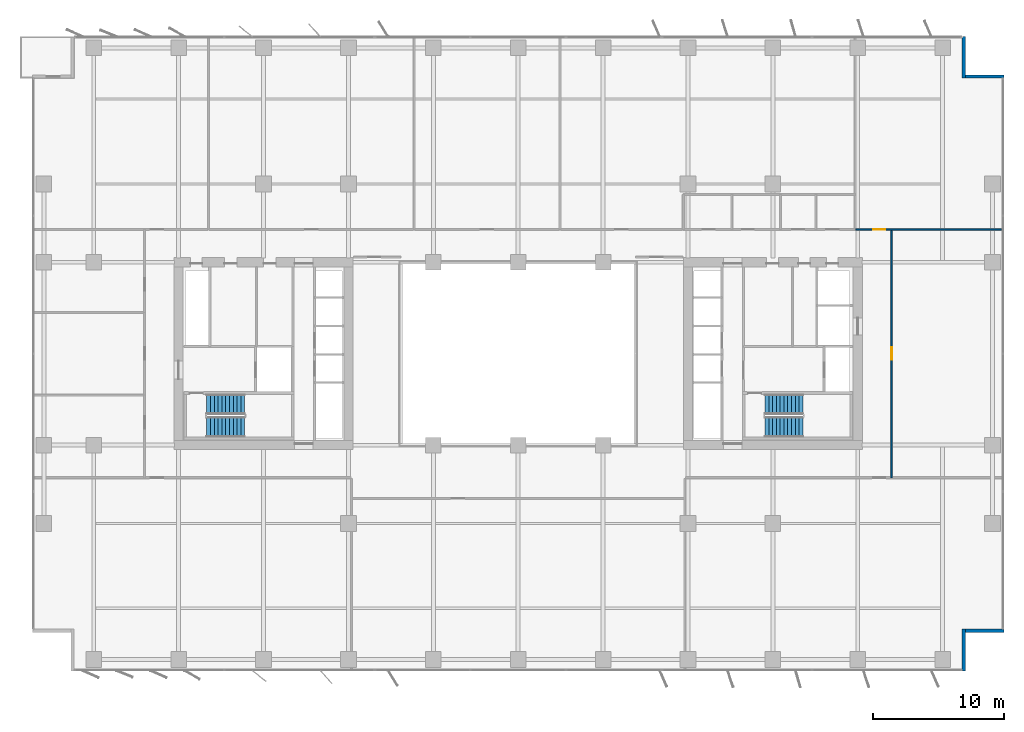
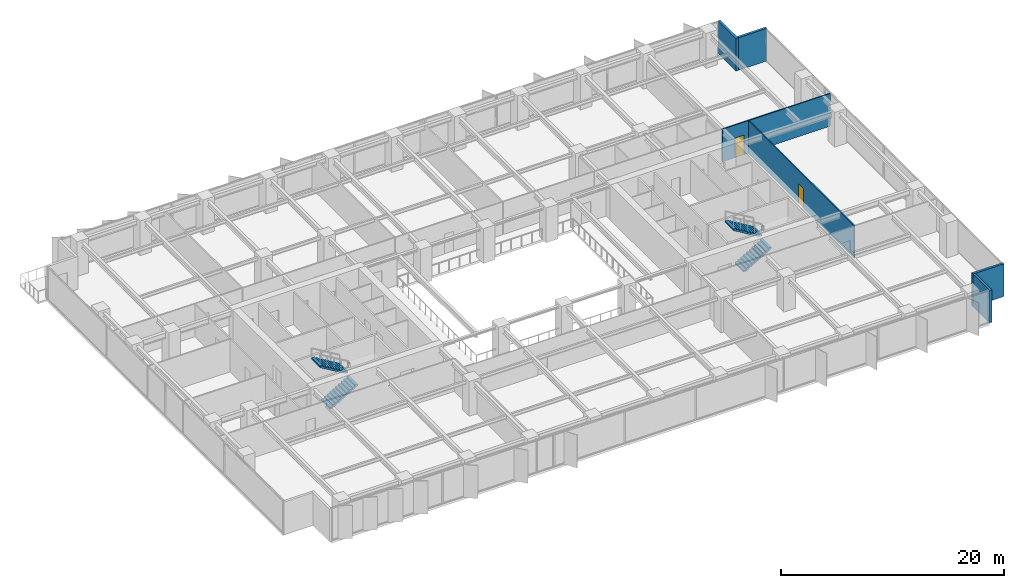
# One storey, part 16 of 20: 6 walls, 4 stair flights, 2 doors, 2 openings, 2 elements without a shape of their own.
"""IFC4 building model written with IfcOpenShell, lengths in metres."""

from ifc_helpers import new_model, si_unit, direction, frame, frame_2d, origin, place, context, subcontext, project, spatial, polyline, rectangle, outline, extrude, material, layer, layer_set, type_object, element, fill, aggregate, save


model = new_model("IFC4")

# Units and contexts
model_context = context("Model", 3, precision=1e-05, world=origin(), true_north=direction((0.0, 1.0)))
body_context = subcontext(model_context, "Body", "Model", "MODEL_VIEW")
ifc_project = project(units=[si_unit("LENGTHUNIT", "METRE"), si_unit("AREAUNIT", "SQUARE_METRE"), si_unit("VOLUMEUNIT", "CUBIC_METRE"), si_unit("PLANEANGLEUNIT", "RADIAN"), si_unit("MASSUNIT", "GRAM", prefix="KILO")], contexts=[model_context])

# Site, building, storey
site_placement = place(None, origin())
site = spatial("IfcSite", under=ifc_project, at=site_placement, CompositionType="ELEMENT")
building_placement = place(site_placement, origin())
building = spatial("IfcBuilding", under=site, at=building_placement, Name="Putna Gate Headquarters", CompositionType="ELEMENT")
storey_placement = place(building_placement, frame((0.0, 0.0, 89.800048828125)))
storey = spatial("IfcBuildingStorey", under=building, at=storey_placement, Name="L21", CompositionType="ELEMENT", Elevation=89.800048828125)

# Walls
ifc_material_1 = material(Name="Precast concrete C40/50", Category="concrete")
ifc_layer_1 = layer(ifc_material_1, 0.239990234375)
ifc_layer_set_1 = layer_set([ifc_layer_1], Name="Precast concrete C40/50")
wall_type_1 = type_object("IfcWallType", Name="WALL-EXT-TERR-240", PredefinedType="STANDARD", material=ifc_layer_set_1)
for number, where, z_axis, x_axis, name in (
    (1, (73.1201171875, 50.300048828125, 0.0), (0.0, 0.0, 1.0), (0.0, -1.0, 0.0), "L21 Corner Notch Return Wall NE-V"),
    (2, (73.0, 47.219970703125, 0.0), (0.0, 0.0, 1.0), (1.0, 0.0, 0.0), "L21 Corner Notch Return Wall NE-H"),
    (3, (73.1201171875, 4.89990234375, 0.0), (0.0, 0.0, 1.0), (0.0, -1.0, 0.0), "L21 Corner Notch Return Wall SE-V"),
    (4, (76.199951171875, 4.780029296875, 0.0), (0.0, 0.0, 1.0), (-1.0, 0.0, 0.0), "L21 Corner Notch Return Wall SE-H"),
):
    element("IfcWall", number, at=place(storey_placement, frame(where, z_axis=z_axis, x_axis=x_axis)), inside=storey, type_object=wall_type_1, Name=name, PredefinedType="STANDARD", context=body_context, shape_type="SweptSolid", body=[
        extrude(rectangle(XDim=3.199951171875, YDim=0.239990234375, at=frame_2d((1.60009765625, 0.0))), origin(), (0.0, 0.0, 1.0), 3.56494140625),
    ])

# Wall, opening, door
ifc_material_2 = material(Name="Fire-rated gypsum board on metal stud")
ifc_layer_2 = layer(ifc_material_2, 0.1201171875)
ifc_layer_set_2 = layer_set([ifc_layer_2], Name="Fire-rated gypsum board on metal stud")
wall_type_2 = type_object("IfcWallType", Name="WALL-PART-120-RATED", PredefinedType="PARTITIONING", material=ifc_layer_set_2)
wall_1_placement = place(storey_placement, frame((64.860107421875, 35.5, 0.0), z_axis=(0.0, 0.0, 1.0), x_axis=(1.0, 0.0, 0.0)))
wall_1 = element("IfcWall", 5, at=wall_1_placement, inside=storey, type_object=wall_type_2, Name="L21 Interior Wall PART-L21-NB-CW-05", PredefinedType="PARTITIONING", context=body_context, shape_type="SweptSolid", body=[
    extrude(rectangle(XDim=11.159912109375, YDim=0.1201171875, at=frame_2d((5.580078125, 0.0))), origin(), (0.0, 0.0, 1.0), 3.56494140625),
])
opening_1_placement = place(wall_1_placement, frame((1.31005859375, 0.0, 0.0)))
opening_1 = element("IfcOpeningElement", 6, at=opening_1_placement, cuts=wall_1, Name="Opening FD-95", PredefinedType="OPENING", context=body_context, shape_type="SweptSolid", body=[
    extrude(rectangle(XDim=0.949951171875, YDim=2.14990234375, at=frame_2d((0.47509765625, 1.074951171875))), frame((0.0, 0.070068359375, 0.0), z_axis=(0.0, -1.0, 0.0), x_axis=(1.0, 0.0, 0.0)), (0.0, 0.0, 1.0), 0.14013671875),
])
ifc_material_3 = material(Name="Acoustic timber fire door", Category="wood")
door_type = type_object("IfcDoorType", Name="DOOR-FIRE-950", OperationType="NOTDEFINED", PredefinedType="DOOR", material=ifc_material_3)
door_1_placement = place(opening_1_placement, origin())
door_1 = element("IfcDoor", 7, at=door_1_placement, inside=storey, type_object=door_type, Name="L21 Collaborative Breakout Lounge 1 Door", OperationType="SINGLE_SWING_LEFT", OverallHeight=2.14990234375, OverallWidth=0.949951171875, PredefinedType="DOOR", context=body_context, shape_type="SweptSolid", body=[
    extrude(rectangle(XDim=0.949951171875, YDim=2.14990234375, at=frame_2d((0.47509765625, 1.074951171875))), frame((0.0, 0.02490234375, 0.0), z_axis=(0.0, -1.0, 0.0), x_axis=(1.0, 0.0, 0.0)), (0.0, 0.0, 1.0), 0.050048828125),
])
fill(opening_1, door_1)

wall_2_placement = place(storey_placement, frame((67.60009765625, 16.5, 0.0), z_axis=(0.0, 0.0, 1.0), x_axis=(0.0, 1.0, 0.0)))
wall_2 = element("IfcWall", 8, at=wall_2_placement, inside=storey, type_object=wall_type_2, Name="L21 Interior Wall PART-L21-EW-CW-1", PredefinedType="PARTITIONING", context=body_context, shape_type="SweptSolid", body=[
    extrude(rectangle(XDim=19.0, YDim=0.1201171875, at=frame_2d((9.5, 0.0))), origin(), (0.0, 0.0, 1.0), 3.56494140625),
])
opening_2_placement = place(wall_2_placement, frame((9.02490234375, 0.0, 0.0)))
opening_2 = element("IfcOpeningElement", 9, at=opening_2_placement, cuts=wall_2, Name="Opening FD-95", PredefinedType="OPENING", context=body_context, shape_type="SweptSolid", body=[
    extrude(rectangle(XDim=0.949951171875, YDim=2.14990234375, at=frame_2d((0.47509765625, 1.074951171875))), frame((0.0, 0.070068359375, 0.0), z_axis=(0.0, -1.0, 0.0), x_axis=(1.0, 0.0, 0.0)), (0.0, 0.0, 1.0), 0.14013671875),
])
door_2_placement = place(opening_2_placement, origin())
door_2 = element("IfcDoor", 10, at=door_2_placement, inside=storey, type_object=door_type, Name="L21 East Advisory Office 1 Door", OperationType="SINGLE_SWING_RIGHT", OverallHeight=2.14990234375, OverallWidth=0.949951171875, PredefinedType="DOOR", context=body_context, shape_type="SweptSolid", body=[
    extrude(rectangle(XDim=0.949951171875, YDim=2.14990234375, at=frame_2d((0.47509765625, 1.074951171875))), frame((0.0, 0.02490234375, 0.0), z_axis=(0.0, -1.0, 0.0), x_axis=(1.0, 0.0, 0.0)), (0.0, 0.0, 1.0), 0.050048828125),
])
fill(opening_2, door_2)

# Stair, stair flights
ifc_material_4 = material(Name="Concrete C40/50", Category="concrete")
stair_type_1 = type_object("IfcStairType", Name="STAIR-ST1", PredefinedType="HALF_TURN_STAIR", material=ifc_material_4)
stair_1_placement = place(storey_placement, origin())
stair_1 = element("IfcStair", 11, at=stair_1_placement, inside=storey, type_object=stair_type_1, Name="L21 West Core Exit Stair ST1", PredefinedType="HALF_TURN_STAIR")
stair_flight_type_1 = type_object("IfcStairFlightType", Name="FLIGHT-ST1", PredefinedType="STRAIGHT", material=ifc_material_4)
stair_flight_1_placement = place(storey_placement, frame((15.14990234375, 20.375, 0.0), z_axis=(0.0, 0.0, 1.0), x_axis=(1.0, 0.0, 0.0)))
stair_flight_1 = element("IfcStairFlight", 12, at=stair_flight_1_placement, type_object=stair_flight_type_1, Name="ST1 flight 1", NumberOfRisers=11, NumberOfTreads=10, PredefinedType="STRAIGHT", RiserHeight=0.172727273, TreadLength=0.29, context=body_context, shape_type="SweptSolid", body=[
    extrude(outline(polyline([(0.0, 0.0), (0.0, 0.172607421875), (0.2900390625, 0.172607421875), (0.2900390625, 0.345458984375), (0.580078125, 0.345458984375), (0.580078125, 0.51806640625), (0.8701171875, 0.51806640625), (0.8701171875, 0.69091796875), (1.159912109375, 0.69091796875), (1.159912109375, 0.863525390625), (1.449951171875, 0.863525390625), (1.449951171875, 1.036376953125), (1.739990234375, 1.036376953125), (1.739990234375, 1.208984375), (2.030029296875, 1.208984375), (2.030029296875, 1.3818359375), (2.320068359375, 1.3818359375), (2.320068359375, 1.554443359375), (2.610107421875, 1.554443359375), (2.610107421875, 1.727294921875), (2.89990234375, 1.727294921875), (2.89990234375, 1.89990234375), (2.89990234375, 1.552734375), (0.29296875, 0.0), (0.0, 0.0)])), frame((0.0, 0.77490234375, 0.0), z_axis=(0.0, -1.0, 0.0), x_axis=(1.0, 0.0, 0.0)), (0.0, 0.0, 1.0), 1.550048828125),
])
stair_flight_2_placement = place(storey_placement, frame((18.050048828125, 22.125, 1.89990234375), z_axis=(0.0, 0.0, 1.0), x_axis=(-1.0, 0.0, 0.0)))
stair_flight_2 = element("IfcStairFlight", 13, at=stair_flight_2_placement, type_object=stair_flight_type_1, Name="ST1 flight 2", NumberOfRisers=11, NumberOfTreads=10, PredefinedType="STRAIGHT", RiserHeight=0.172727273, TreadLength=0.29, context=body_context, shape_type="SweptSolid", body=[
    extrude(outline(polyline([(0.0, 0.0), (0.0, 0.172607421875), (0.2900390625, 0.172607421875), (0.2900390625, 0.345458984375), (0.580078125, 0.345458984375), (0.580078125, 0.51806640625), (0.8701171875, 0.51806640625), (0.8701171875, 0.69091796875), (1.159912109375, 0.69091796875), (1.159912109375, 0.863525390625), (1.449951171875, 0.863525390625), (1.449951171875, 1.036376953125), (1.739990234375, 1.036376953125), (1.739990234375, 1.208984375), (2.030029296875, 1.208984375), (2.030029296875, 1.3818359375), (2.320068359375, 1.3818359375), (2.320068359375, 1.554443359375), (2.610107421875, 1.554443359375), (2.610107421875, 1.727294921875), (2.89990234375, 1.727294921875), (2.89990234375, 1.89990234375), (2.89990234375, 1.552734375), (0.29296875, 0.0), (0.0, 0.0)])), frame((0.0, 0.77490234375, 0.0), z_axis=(0.0, -1.0, 0.0), x_axis=(1.0, 0.0, 0.0)), (0.0, 0.0, 1.0), 1.550048828125),
])
aggregate(stair_1, [stair_flight_1, stair_flight_2])

stair_type_2 = type_object("IfcStairType", Name="STAIR-ST2", PredefinedType="HALF_TURN_STAIR", material=ifc_material_4)
stair_2_placement = place(storey_placement, origin())
stair_2 = element("IfcStair", 14, at=stair_2_placement, inside=storey, type_object=stair_type_2, Name="L21 East Core Exit Stair ST2", PredefinedType="HALF_TURN_STAIR")
stair_flight_type_2 = type_object("IfcStairFlightType", Name="FLIGHT-ST2", PredefinedType="STRAIGHT", material=ifc_material_4)
stair_flight_3_placement = place(storey_placement, frame((57.89990234375, 20.375, 0.0), z_axis=(0.0, 0.0, 1.0), x_axis=(1.0, 0.0, 0.0)))
stair_flight_3 = element("IfcStairFlight", 15, at=stair_flight_3_placement, type_object=stair_flight_type_2, Name="ST2 flight 1", NumberOfRisers=11, NumberOfTreads=10, PredefinedType="STRAIGHT", RiserHeight=0.172727273, TreadLength=0.29, context=body_context, shape_type="SweptSolid", body=[
    extrude(outline(polyline([(0.0, 0.0), (0.0, 0.172607421875), (0.2900390625, 0.172607421875), (0.2900390625, 0.345458984375), (0.580078125, 0.345458984375), (0.580078125, 0.51806640625), (0.8701171875, 0.51806640625), (0.8701171875, 0.69091796875), (1.159912109375, 0.69091796875), (1.159912109375, 0.863525390625), (1.449951171875, 0.863525390625), (1.449951171875, 1.036376953125), (1.739990234375, 1.036376953125), (1.739990234375, 1.208984375), (2.030029296875, 1.208984375), (2.030029296875, 1.3818359375), (2.320068359375, 1.3818359375), (2.320068359375, 1.554443359375), (2.610107421875, 1.554443359375), (2.610107421875, 1.727294921875), (2.89990234375, 1.727294921875), (2.89990234375, 1.89990234375), (2.89990234375, 1.552734375), (0.29296875, 0.0), (0.0, 0.0)])), frame((0.0, 0.77490234375, 0.0), z_axis=(0.0, -1.0, 0.0), x_axis=(1.0, 0.0, 0.0)), (0.0, 0.0, 1.0), 1.550048828125),
])
stair_flight_4_placement = place(storey_placement, frame((60.800048828125, 22.125, 1.89990234375), z_axis=(0.0, 0.0, 1.0), x_axis=(-1.0, 0.0, 0.0)))
stair_flight_4 = element("IfcStairFlight", 16, at=stair_flight_4_placement, type_object=stair_flight_type_2, Name="ST2 flight 2", NumberOfRisers=11, NumberOfTreads=10, PredefinedType="STRAIGHT", RiserHeight=0.172727273, TreadLength=0.29, context=body_context, shape_type="SweptSolid", body=[
    extrude(outline(polyline([(0.0, 0.0), (0.0, 0.172607421875), (0.2900390625, 0.172607421875), (0.2900390625, 0.345458984375), (0.580078125, 0.345458984375), (0.580078125, 0.51806640625), (0.8701171875, 0.51806640625), (0.8701171875, 0.69091796875), (1.159912109375, 0.69091796875), (1.159912109375, 0.863525390625), (1.449951171875, 0.863525390625), (1.449951171875, 1.036376953125), (1.739990234375, 1.036376953125), (1.739990234375, 1.208984375), (2.030029296875, 1.208984375), (2.030029296875, 1.3818359375), (2.320068359375, 1.3818359375), (2.320068359375, 1.554443359375), (2.610107421875, 1.554443359375), (2.610107421875, 1.727294921875), (2.89990234375, 1.727294921875), (2.89990234375, 1.89990234375), (2.89990234375, 1.552734375), (0.29296875, 0.0), (0.0, 0.0)])), frame((0.0, 0.77490234375, 0.0), z_axis=(0.0, -1.0, 0.0), x_axis=(1.0, 0.0, 0.0)), (0.0, 0.0, 1.0), 1.550048828125),
])
aggregate(stair_2, [stair_flight_3, stair_flight_4])

save(model, "model.ifc")
